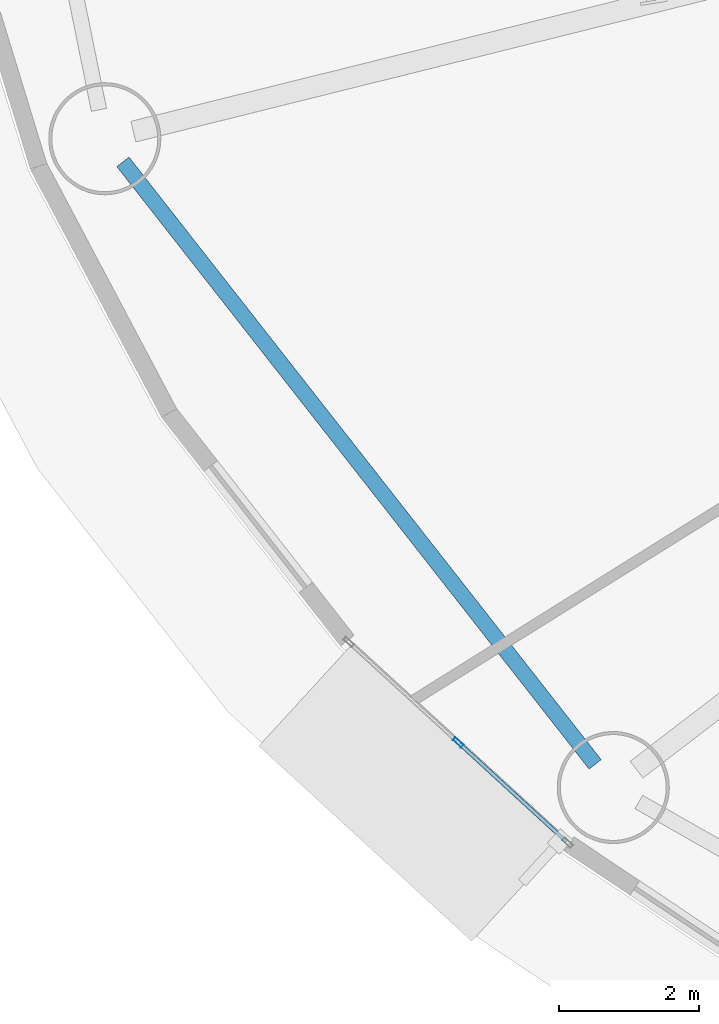
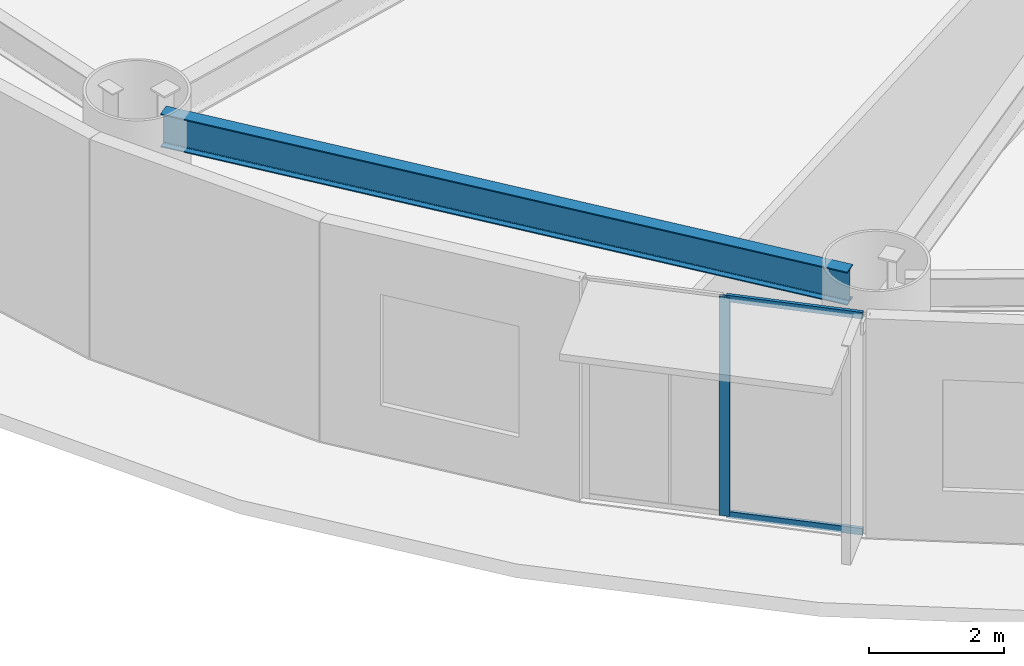
# One storey, part 5 of 35: 3 members, 1 beam, 1 element without a shape of its own.
"""IFC4 building model written with IfcOpenShell, lengths in metres."""

from ifc_helpers import new_model, si_unit, direction, frame, origin, origin_2d, place, context, subcontext, project, spatial, hollow_rectangle, i_section, extrude, source, transform, mapped, material, layer, layer_set, material_profile, profile_set, type_object, element, aggregate, save


model = new_model("IFC4")

# Units and contexts
model_context = context("Model", 3, precision=1e-05, world=origin(), true_north=direction((0.0, 1.0)))
body_context = subcontext(model_context, "Body", "Model", "MODEL_VIEW")
ifc_project = project(units=[si_unit("LENGTHUNIT", "METRE"), si_unit("AREAUNIT", "SQUARE_METRE"), si_unit("VOLUMEUNIT", "CUBIC_METRE"), si_unit("PLANEANGLEUNIT", "RADIAN"), si_unit("MASSUNIT", "GRAM", prefix="KILO")], contexts=[model_context])

# Site, building, storey
site_placement = place(None, origin())
site = spatial("IfcSite", under=ifc_project, at=site_placement, CompositionType="ELEMENT")
building_placement = place(site_placement, origin())
building = spatial("IfcBuilding", under=site, at=building_placement, Name="Linh Dai School and Residence Tower", CompositionType="ELEMENT")
storey_placement = place(building_placement, frame((0.0, 0.0, 32.39990234375)))
storey = spatial("IfcBuildingStorey", under=building, at=storey_placement, Name="L07", CompositionType="ELEMENT", Elevation=32.39990234375)

# Beam
ifc_material_1 = material(Name="Structural Steel S355JR", Category="steel")
ifc_material_profile_1 = material_profile(ifc_material_1, i_section(OverallWidth=0.219970703125, OverallDepth=0.60009765625, WebThickness=0.011962890625, FlangeThickness=0.01904296875, FilletRadius=0.02392578125, at=origin_2d()), Name="IPE 600")
ifc_profile_set_1 = profile_set([ifc_material_profile_1], Name="Structural Steel S355JR")
beam_type = type_object("IfcBeamType", Name="BM-RB60", PredefinedType="BEAM", material=ifc_profile_set_1)
beam_placement = place(storey_placement, frame((7.648193359375, 19.560791015625, 3.650146484375), z_axis=(0.616878670407, -0.787058260866, 0.0), x_axis=(0.787058260866, 0.616878670407, 0.0)))
element("IfcBeam", 1, at=beam_placement, inside=storey, type_object=beam_type, Name="L07 Perimeter Elliptical Ring Beam 10", PredefinedType="BEAM", context=body_context, shape_type="SweptSolid", body=[
    extrude(i_section(OverallWidth=0.219970703125, OverallDepth=0.60009765625, WebThickness=0.011962890625, FlangeThickness=0.01904296875, FilletRadius=0.02392578125, at=origin_2d()), origin(), (0.0, 0.0, 1.0), 10.926025390625),
])

# Curtain wall, members
ifc_material_2 = material(Name="Aluminium Anodised Curtain Wall", Category="aluminium")
ifc_layer = layer(ifc_material_2, 0.159912109375)
ifc_layer_set = layer_set([ifc_layer], Name="Aluminium Anodised Curtain Wall")
curtain_wall_type = type_object("IfcCurtainWallType", Name="CW-SYS-3", PredefinedType="USERDEFINED", material=ifc_layer_set)
curtain_wall_placement = place(storey_placement, origin())
curtain_wall = element("IfcCurtainWall", 2, at=curtain_wall_placement, inside=storey, type_object=curtain_wall_type, Name="L07 CW3 Curtain Wall 25", ObjectType="RIBBON CURTAIN WALL", PredefinedType="USERDEFINED")
ifc_material_3 = material(Name="Aluminium Alloy 6063-T6", Category="aluminium")
ifc_material_profile_2 = material_profile(ifc_material_3, hollow_rectangle(XDim=0.054931640625, YDim=0.159912109375, WallThickness=0.00390625, at=origin_2d()), Name="RHS 160x55x4")
ifc_profile_set_2 = profile_set([ifc_material_profile_2], Name="Aluminium Alloy 6063-T6")
member_type_1 = type_object("IfcMemberType", Name="CW-SYS-3-MUL", PredefinedType="MULLION", material=ifc_profile_set_2)
shared_shape_1 = source(origin(), body_context, "Body", "SweptSolid", [
    extrude(hollow_rectangle(XDim=0.054931640625, YDim=0.159912109375, WallThickness=0.00390625, at=origin_2d()), origin(), (0.0, 0.0, 1.0), 3.9501953125),
])
member_1_placement = place(storey_placement, frame((12.432861328125, 11.274658203125, 0.0), z_axis=(0.0, 0.0, 1.0), x_axis=(-0.675769237268, -0.737113246362, 0.0)))
member_1 = element("IfcMember", 3, at=member_1_placement, type_object=member_type_1, Name="CW3 mullion 2", PredefinedType="MULLION", context=body_context, shape_type="MappedRepresentation", body=[
    mapped(shared_shape_1, transform((0.0, 0.0, 0.0), x_axis=(1.0, 0.0, 0.0), y_axis=(0.0, 1.0, 0.0), z_axis=(0.0, 0.0, 1.0), scale=1.0)),
])
ifc_material_profile_3 = material_profile(ifc_material_3, hollow_rectangle(XDim=0.054931640625, YDim=0.1201171875, WallThickness=0.00390625, at=origin_2d()), Name="RHS 120x55x4")
ifc_profile_set_3 = profile_set([ifc_material_profile_3], Name="Aluminium Alloy 6063-T6")
member_type_2 = type_object("IfcMemberType", Name="CW-SYS-3-TRN", PredefinedType="USERDEFINED", material=ifc_profile_set_3)
shared_shape_2 = source(origin(), body_context, "Body", "SweptSolid", [
    extrude(hollow_rectangle(XDim=0.054931640625, YDim=0.1201171875, WallThickness=0.00390625, at=origin_2d()), origin(), (0.0, 0.0, 1.0), 2.064453125),
])
member_2_placement = place(storey_placement, frame((13.974853515625, 9.861083984375, 0.027587890625), z_axis=(-0.737129594686, 0.675751404466, 0.0), x_axis=(-0.675751404466, -0.737129594686, 0.0)))
member_2 = element("IfcMember", 4, at=member_2_placement, type_object=member_type_2, Name="CW3 transom 1.1", ObjectType="TRANSOM", PredefinedType="USERDEFINED", context=body_context, shape_type="MappedRepresentation", body=[
    mapped(shared_shape_2, transform((0.0, 0.0, 0.0), x_axis=(1.0, 0.0, 0.0), y_axis=(0.0, 1.0, 0.0), z_axis=(0.0, 0.0, 1.0), scale=1.0)),
])
member_3_placement = place(storey_placement, frame((13.974853515625, 9.861083984375, 3.922607421875), z_axis=(-0.737129594686, 0.675751404466, 0.0), x_axis=(-0.675751404466, -0.737129594686, 0.0)))
member_3 = element("IfcMember", 5, at=member_3_placement, type_object=member_type_2, Name="CW3 transom 1.2", ObjectType="TRANSOM", PredefinedType="USERDEFINED", context=body_context, shape_type="MappedRepresentation", body=[
    mapped(shared_shape_2, transform((0.0, 0.0, 0.0), x_axis=(1.0, 0.0, 0.0), y_axis=(0.0, 1.0, 0.0), z_axis=(0.0, 0.0, 1.0), scale=1.0)),
])
aggregate(curtain_wall, [member_1, member_2, member_3])

save(model, "model.ifc")
